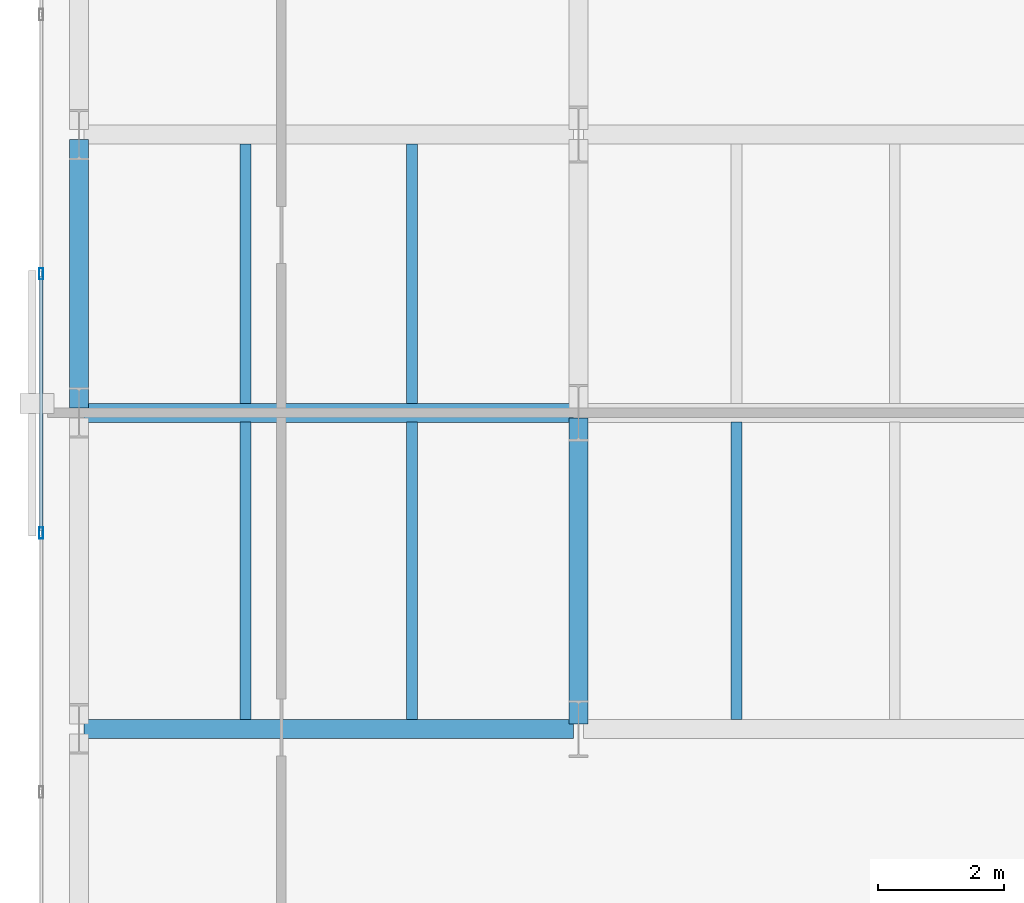
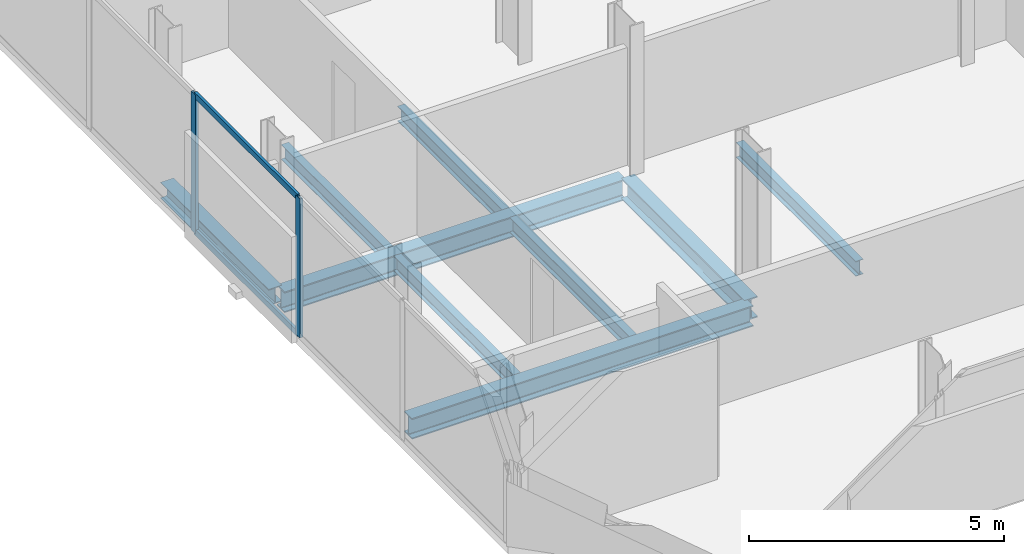
# One storey, part 5 of 33: 9 beams, 4 members, 1 element without a shape of its own.
"""IFC4 building model written with IfcOpenShell, lengths in metres."""

import ifcopenshell
import ifcopenshell.guid

model = None  # the IFC model being written
_history = None  # IfcOwnerHistory: only IFC2X3 demands one
_inside = {}  # id of a spatial element -> (the spatial element, [elements in it])
_under = {}  # id of a project, library or spatial element -> (it, [spatial elements below it])
_declared = {}  # id of a project -> (the project, [libraries it declares])
_typed = {}  # id of a type object -> (the type object, [elements of that type])
_made_of = {}  # id of a material, layer set ... -> (it, [elements and type objects made of it])


def new_model(schema):
    """Start an empty IFC model of exactly this schema.

    Asked for "IFC4X3", IfcOpenShell would pick the latest addendum, in which some entities
    have other attributes; the version numbers below select the first issue.
    IFC2X3 requires an IfcOwnerHistory on every rooted entity: one is made here for all.
    """
    global model, _history
    if schema == "IFC4X3":
        model = ifcopenshell.file(schema_version=(4, 3, 0, 0))
    else:
        model = ifcopenshell.file(schema=schema)
    _inside.clear()
    _under.clear()
    _declared.clear()
    _typed.clear()
    _made_of.clear()
    _history = None
    if model.schema == "IFC2X3":
        org = make("IfcOrganization", Name="unknown")
        user = make(
            "IfcPersonAndOrganization",
            ThePerson=make("IfcPerson", FamilyName="unknown"),
            TheOrganization=org,
        )
        app = make(
            "IfcApplication",
            ApplicationDeveloper=org,
            Version="unknown",
            ApplicationFullName="unknown",
            ApplicationIdentifier="unknown",
        )
        _history = make(
            "IfcOwnerHistory",
            OwningUser=user,
            OwningApplication=app,
            ChangeAction="ADDED",
            CreationDate=0,
        )
    return model


def make(cls, **values):
    """One entity of the class cls with the attributes given. An attribute that is None is left unset."""
    return model.create_entity(
        cls, **{name: value for name, value in values.items() if value is not None}
    )


def rooted(cls, **values):
    """An entity with a GlobalId (a new one), such as an element, a storey or a relation."""
    return make(cls, GlobalId=ifcopenshell.guid.new(), OwnerHistory=_history, **values)


def si_unit(unit_type, name, prefix=None):
    """IfcSIUnit, for example si_unit("LENGTHUNIT", "METRE", prefix="MILLI")."""
    return make("IfcSIUnit", UnitType=unit_type, Prefix=prefix, Name=name)


def assignment(units):
    """IfcUnitAssignment: the units of a project."""
    return None if units is None else make("IfcUnitAssignment", Units=units)


def point(xyz):
    """IfcCartesianPoint."""
    return None if xyz is None else make("IfcCartesianPoint", Coordinates=xyz)


def direction(xyz):
    """IfcDirection."""
    return None if xyz is None else make("IfcDirection", DirectionRatios=xyz)


def frame(location, z_axis=None, x_axis=None):
    """IfcAxis2Placement3D, a coordinate frame: its origin and axes. An axis left out is left unset."""
    return make(
        "IfcAxis2Placement3D",
        Location=point(location),
        Axis=direction(z_axis),
        RefDirection=direction(x_axis),
    )


def frame_2d(location, x_axis=None):
    """IfcAxis2Placement2D, a coordinate frame in the plane: its origin and x axis."""
    return make(
        "IfcAxis2Placement2D", Location=point(location), RefDirection=direction(x_axis)
    )


def origin():
    """The frame at (0, 0, 0) with its axes left unset."""
    return frame((0.0, 0.0, 0.0))


def origin_2d():
    """The frame at (0, 0) in the plane with its x axis left unset."""
    return frame_2d((0.0, 0.0))


def place(relative_to, where):
    """IfcLocalPlacement: puts the frame where relative to a parent placement (None: the world)."""
    return make(
        "IfcLocalPlacement", PlacementRelTo=relative_to, RelativePlacement=where
    )


def context(
    kind, dimensions, precision=None, world=None, true_north=None, identifier=None
):
    """IfcGeometricRepresentationContext, for example the 3D "Model" context."""
    return make(
        "IfcGeometricRepresentationContext",
        ContextIdentifier=identifier,
        ContextType=kind,
        CoordinateSpaceDimension=dimensions,
        Precision=precision,
        WorldCoordinateSystem=world,
        TrueNorth=true_north,
    )


def subcontext(parent, identifier, kind, view, scale=None):
    """IfcGeometricRepresentationSubContext, for example "Body" below "Model"."""
    return make(
        "IfcGeometricRepresentationSubContext",
        ContextIdentifier=identifier,
        ContextType=kind,
        ParentContext=parent,
        TargetScale=scale,
        TargetView=view,
    )


def project(units=None, contexts=None):
    """IfcProject with its units and contexts."""
    return rooted(
        "IfcProject",
        Name="project",
        RepresentationContexts=contexts,
        UnitsInContext=assignment(units),
    )


def spatial(cls, under=None, at=None, **own):
    """A site, building, storey or space (cls), placed at a placement, below another one or the project."""
    s = rooted(cls, ObjectPlacement=at, **own)
    if under is not None:
        _under.setdefault(under.id(), (under, []))[1].append(s)
    return s


def profile(cls, at=None, kind="AREA", **sizes):
    """A parametric profile (cls). Its sizes go by their IFC names, for example OverallWidth=200.0."""
    return make(cls, ProfileType=kind, Position=at, **sizes)


def hollow_rectangle(**sizes):
    """IfcRectangleHollowProfileDef."""
    return profile("IfcRectangleHollowProfileDef", **sizes)


def i_section(**sizes):
    """IfcIShapeProfileDef."""
    return profile("IfcIShapeProfileDef", **sizes)


def extrude(swept, where, along, depth):
    """IfcExtrudedAreaSolid: the profile swept, set in the frame where, extruded along a direction by depth."""
    return make(
        "IfcExtrudedAreaSolid",
        SweptArea=swept,
        Position=where,
        ExtrudedDirection=direction(along),
        Depth=depth,
    )


def shape(context_of_items, identifier, shape_type, items):
    """IfcShapeRepresentation: the items that make up one representation, for example the "Body"."""
    return make(
        "IfcShapeRepresentation",
        ContextOfItems=context_of_items,
        RepresentationIdentifier=identifier,
        RepresentationType=shape_type,
        Items=items,
    )


def material(Name=None, Category=None):
    """IfcMaterial."""
    return make("IfcMaterial", Name=Name, Category=Category)


def layer(
    of_material, thickness, ventilated=None, Name=None, Category=None, Priority=None
):
    """IfcMaterialLayer: one layer of a wall or slab, of a material (None: an air gap)."""
    return make(
        "IfcMaterialLayer",
        Material=of_material,
        LayerThickness=thickness,
        IsVentilated=ventilated,
        Name=Name,
        Category=Category,
        Priority=Priority,
    )


def layer_set(layers, Name=None):
    """IfcMaterialLayerSet."""
    return make("IfcMaterialLayerSet", MaterialLayers=layers, LayerSetName=Name)


def material_profile(
    of_material, cross_section, Name=None, Category=None, Priority=None
):
    """IfcMaterialProfile: a cross section and its material."""
    return make(
        "IfcMaterialProfile",
        Name=Name,
        Material=of_material,
        Profile=cross_section,
        Priority=Priority,
        Category=Category,
    )


def profile_set(profiles, Name=None, composite=None):
    """IfcMaterialProfileSet."""
    return make(
        "IfcMaterialProfileSet",
        Name=Name,
        MaterialProfiles=profiles,
        CompositeProfile=composite,
    )


def made_of(thing, what):
    """Note that an element or type object is made of a material, layer set ...; save() writes the relation."""
    if what is not None:
        _made_of.setdefault(what.id(), (what, []))[1].append(thing)
    return thing


def type_object(cls, material=None, **own):
    """A type object (cls), such as IfcWallType, which elements share."""
    return made_of(rooted(cls, **own), material)


def element(
    cls,
    number,
    at=None,
    inside=None,
    cuts=None,
    type_object=None,
    material=None,
    context=None,
    identifier="Body",
    shape_type=None,
    held_by="IfcProductDefinitionShape",
    body=None,
    shapes=None,
    **own,
):
    """One element of the class cls, such as IfcWall. Its Tag is "e" and its number.

    at: its placement. inside: the storey or other place that contains it. cuts: it is an
    opening in that element (IfcRelVoidsElement). A single representation is given by context,
    identifier, shape_type and body (its items); several are given by shapes. held_by: the class
    of the entity that holds the representations. save() writes the other relations.
    """
    e = rooted(cls, Tag="e%d" % number, ObjectPlacement=at, **own)
    if body is not None:
        shapes = [shape(context, identifier, shape_type, body)]
    if shapes is not None:
        e.Representation = make(held_by, Representations=shapes)
    if inside is not None:
        _inside.setdefault(inside.id(), (inside, []))[1].append(e)
    if cuts is not None:
        rooted(
            "IfcRelVoidsElement", RelatingBuildingElement=cuts, RelatedOpeningElement=e
        )
    if type_object is not None:
        _typed.setdefault(type_object.id(), (type_object, []))[1].append(e)
    return made_of(e, material)


def aggregate(whole, parts):
    """IfcRelAggregates: a whole, such as a stair, and the parts it consists of."""
    return rooted("IfcRelAggregates", RelatingObject=whole, RelatedObjects=parts)


def save(model, path):
    """Write the relations noted so far, then the file.

    IfcRelAggregates (storeys below a building ...), IfcRelContainedInSpatialStructure (elements
    in a storey), IfcRelDefinesByType, IfcRelAssociatesMaterial and IfcRelDeclares: one each for
    every whole, place, type object, material and project.
    """
    for whole, parts in _under.values():
        aggregate(whole, parts)
    for where, things in _inside.values():
        rooted(
            "IfcRelContainedInSpatialStructure",
            RelatedElements=things,
            RelatingStructure=where,
        )
    for kind, things in _typed.values():
        rooted("IfcRelDefinesByType", RelatedObjects=things, RelatingType=kind)
    for what, things in _made_of.values():
        rooted("IfcRelAssociatesMaterial", RelatedObjects=things, RelatingMaterial=what)
    for by, libraries in _declared.values():
        rooted("IfcRelDeclares", RelatingContext=by, RelatedDefinitions=libraries)
    model.write(path)


model = new_model("IFC4")

# Units and contexts
model_context = context("Model", 3, precision=1e-05, world=origin(), true_north=direction((0.0, 1.0)))
body_context = subcontext(model_context, "Body", "Model", "MODEL_VIEW")
ifc_project = project(units=[si_unit("LENGTHUNIT", "METRE"), si_unit("AREAUNIT", "SQUARE_METRE"), si_unit("VOLUMEUNIT", "CUBIC_METRE"), si_unit("PLANEANGLEUNIT", "RADIAN"), si_unit("MASSUNIT", "GRAM", prefix="KILO")], contexts=[model_context])

# Site, building, storey
site_placement = place(None, origin())
site = spatial("IfcSite", under=ifc_project, at=site_placement, CompositionType="ELEMENT")
building_placement = place(site_placement, origin())
building = spatial("IfcBuilding", under=site, at=building_placement, Name="Catumbela Crestline Tower", CompositionType="ELEMENT")
storey_placement = place(building_placement, frame((0.0, 0.0, 54.6)))
storey = spatial("IfcBuildingStorey", under=building, at=storey_placement, Name="L13", CompositionType="ELEMENT", Elevation=54.6)

# Beams
ifc_material_1 = material(Name="Structural steel S355J2", Category="steel")
ifc_material_profile_1 = material_profile(ifc_material_1, i_section(OverallWidth=0.3, OverallDepth=0.5, WebThickness=0.0145, FlangeThickness=0.028, FilletRadius=0.027, at=origin_2d()), Name="HEB 500")
ifc_profile_set_1 = profile_set([ifc_material_profile_1], Name="Structural steel S355J2")
beam_type_1 = type_object("IfcBeamType", Name="BG-HEB500", PredefinedType="BEAM", material=ifc_profile_set_1)
for number, where, z_axis, x_axis, name in (
    (1, (0.68, 8.6, -0.51), (1.0, 0.0, 0.0), (0.0, 1.0, 0.0), "L13 Beam BM-L13-WEW48"),
    (2, (0.68, 13.6, -0.51), (1.0, 0.0, 0.0), (0.0, 1.0, 0.0), "L13 Beam BM-L13-WEW51"),
):
    element("IfcBeam", number, at=place(storey_placement, frame(where, z_axis=z_axis, x_axis=x_axis)), inside=storey, type_object=beam_type_1, Name=name, PredefinedType="BEAM", context=body_context, shape_type="SweptSolid", body=[
        extrude(i_section(OverallWidth=0.3, OverallDepth=0.5, WebThickness=0.0145, FlangeThickness=0.028, FilletRadius=0.027, at=origin_2d()), origin(), (0.0, 0.0, 1.0), 7.74),
    ])
beam_1_placement = place(storey_placement, frame((8.5, 8.68, -0.51), z_axis=(0.0, 1.0, 0.0), x_axis=(-1.0, 0.0, 0.0)))
element("IfcBeam", 3, at=beam_1_placement, inside=storey, type_object=beam_type_1, Name="L13 Beam BM-L13-WNS61", PredefinedType="BEAM", context=body_context, shape_type="SweptSolid", body=[
    extrude(i_section(OverallWidth=0.3, OverallDepth=0.5, WebThickness=0.0145, FlangeThickness=0.028, FilletRadius=0.027, at=origin_2d()), origin(), (0.0, 0.0, 1.0), 4.84),
])
ifc_material_profile_2 = material_profile(ifc_material_1, i_section(OverallWidth=0.17, OverallDepth=0.36, WebThickness=0.008, FlangeThickness=0.0127, FilletRadius=0.018, at=origin_2d()), Name="IPE 360")
ifc_profile_set_2 = profile_set([ifc_material_profile_2], Name="Structural steel S355J2")
beam_type_2 = type_object("IfcBeamType", Name="BJ-IPE360", PredefinedType="JOIST", material=ifc_profile_set_2)
for number, where, z_axis, x_axis, name in (
    (4, (3.233, 8.747, -0.44), (0.0, 1.0, 0.0), (-1.0, 0.0, 0.0), "L13 Joist JS-L13-WG70"),
    (5, (5.867, 8.747, -0.44), (0.0, 1.0, 0.0), (-1.0, 0.0, 0.0), "L13 Joist JS-L13-WG71"),
    (6, (11.0, 8.747, -0.44), (0.0, 1.0, 0.0), (-1.0, 0.0, 0.0), "L13 Joist JS-L13-WG72"),
):
    element("IfcBeam", number, at=place(storey_placement, frame(where, z_axis=z_axis, x_axis=x_axis)), inside=storey, type_object=beam_type_2, Name=name, PredefinedType="JOIST", context=body_context, shape_type="SweptSolid", body=[
        extrude(i_section(OverallWidth=0.17, OverallDepth=0.36, WebThickness=0.008, FlangeThickness=0.0127, FilletRadius=0.018, at=origin_2d()), origin(), (0.0, 0.0, 1.0), 4.706),
    ])
for number, where, z_axis, x_axis, name in (
    (7, (3.233, 13.747, -0.44), (0.0, 1.0, 0.0), (-1.0, 0.0, 0.0), "L13 Joist JS-L13-WG76"),
    (8, (5.867, 13.747, -0.44), (0.0, 1.0, 0.0), (-1.0, 0.0, 0.0), "L13 Joist JS-L13-WG77"),
):
    element("IfcBeam", number, at=place(storey_placement, frame(where, z_axis=z_axis, x_axis=x_axis)), inside=storey, type_object=beam_type_2, Name=name, PredefinedType="JOIST", context=body_context, shape_type="SweptSolid", body=[
        extrude(i_section(OverallWidth=0.17, OverallDepth=0.36, WebThickness=0.008, FlangeThickness=0.0127, FilletRadius=0.018, at=origin_2d()), origin(), (0.0, 0.0, 1.0), 4.106),
    ])

# Curtain wall, members
ifc_material_2 = material(Name="Aluminium alloy AW-6060-T66", Category="aluminium")
ifc_layer = layer(ifc_material_2, 0.18, Name="Aluminium alloy AW-6060-T66")
ifc_layer_set = layer_set([ifc_layer], Name="Aluminium alloy AW-6060-T66")
curtain_wall_type = type_object("IfcCurtainWallType", Name="CWU-Z1", PredefinedType="USERDEFINED", material=ifc_layer_set)
curtain_wall_placement = place(storey_placement, origin())
curtain_wall = element("IfcCurtainWall", 9, at=curtain_wall_placement, inside=storey, type_object=curtain_wall_type, Name="L13 Unitised Curtain Wall CW-L13-E9S1", ObjectType="UNITISED", PredefinedType="USERDEFINED")
ifc_material_profile_3 = material_profile(ifc_material_2, hollow_rectangle(XDim=0.065, YDim=0.18, WallThickness=0.004, at=origin_2d()), Name="ALU 180x65x4")
ifc_profile_set_3 = profile_set([ifc_material_profile_3], Name="Aluminium alloy AW-6060-T66")
member_type_1 = type_object("IfcMemberType", Name="MUL-180X65", PredefinedType="MULLION", material=ifc_profile_set_3)
member_1_placement = place(storey_placement, frame((0.0, 15.8, 0.0), z_axis=(0.0, 0.0, 1.0), x_axis=(1.0, 0.0, 0.0)))
member_1 = element("IfcMember", 10, at=member_1_placement, type_object=member_type_1, Name="CWU-Z1 mullion 8", PredefinedType="MULLION", context=body_context, shape_type="SweptSolid", body=[
    extrude(hollow_rectangle(XDim=0.065, YDim=0.18, WallThickness=0.004, at=origin_2d()), origin(), (0.0, 0.0, 1.0), 3.33),
])
member_2_placement = place(storey_placement, frame((0.0, 11.7, 0.0), z_axis=(0.0, 0.0, 1.0), x_axis=(1.0, 0.0, 0.0)))
member_2 = element("IfcMember", 11, at=member_2_placement, type_object=member_type_1, Name="CWU-Z1 mullion 9", PredefinedType="MULLION", context=body_context, shape_type="SweptSolid", body=[
    extrude(hollow_rectangle(XDim=0.065, YDim=0.18, WallThickness=0.004, at=origin_2d()), origin(), (0.0, 0.0, 1.0), 3.33),
])

# Beam
ifc_material_profile_4 = material_profile(ifc_material_1, i_section(OverallWidth=0.3, OverallDepth=0.39, WebThickness=0.011, FlangeThickness=0.019, FilletRadius=0.027, at=origin_2d()), Name="HEA 400")
ifc_profile_set_4 = profile_set([ifc_material_profile_4], Name="Structural steel S355J2")
beam_type_3 = type_object("IfcBeamType", Name="BS-HEA400", PredefinedType="SPANDREL", material=ifc_profile_set_4)
beam_2_placement = place(storey_placement, frame((0.6, 13.68, -0.455), z_axis=(0.0, 1.0, 0.0), x_axis=(-1.0, 0.0, 0.0)))
element("IfcBeam", 12, at=beam_2_placement, inside=storey, type_object=beam_type_3, Name="L13 Spandrel SP-L13-WNS59", PredefinedType="SPANDREL", context=body_context, shape_type="SweptSolid", body=[
    extrude(i_section(OverallWidth=0.3, OverallDepth=0.39, WebThickness=0.011, FlangeThickness=0.019, FilletRadius=0.027, at=origin_2d()), origin(), (0.0, 0.0, 1.0), 4.24),
])

# Member
ifc_material_profile_5 = material_profile(ifc_material_2, hollow_rectangle(XDim=0.06, YDim=0.14, WallThickness=0.004, at=origin_2d()), Name="ALU 140x60x4")
ifc_profile_set_5 = profile_set([ifc_material_profile_5], Name="Aluminium alloy AW-6060-T66")
member_type_2 = type_object("IfcMemberType", Name="TRN-140X60", PredefinedType="USERDEFINED", material=ifc_profile_set_5)
member_3_placement = place(storey_placement, frame((0.0, 15.7675, 0.03), z_axis=(0.0, -1.0, 0.0), x_axis=(1.0, 0.0, 0.0)))
member_3 = element("IfcMember", 13, at=member_3_placement, type_object=member_type_2, Name="CWU-Z1 transom 8.1", ObjectType="TRANSOM", PredefinedType="USERDEFINED", context=body_context, shape_type="SweptSolid", body=[
    extrude(hollow_rectangle(XDim=0.06, YDim=0.14, WallThickness=0.004, at=origin_2d()), origin(), (0.0, 0.0, 1.0), 4.035),
])

member_4_placement = place(storey_placement, frame((0.0, 15.7675, 3.3), z_axis=(0.0, -1.0, 0.0), x_axis=(1.0, 0.0, 0.0)))
member_4 = element("IfcMember", 14, at=member_4_placement, type_object=member_type_2, Name="CWU-Z1 transom 8.2", ObjectType="TRANSOM", PredefinedType="USERDEFINED", context=body_context, shape_type="SweptSolid", body=[
    extrude(hollow_rectangle(XDim=0.06, YDim=0.14, WallThickness=0.004, at=origin_2d()), origin(), (0.0, 0.0, 1.0), 4.035),
])

aggregate(curtain_wall, [member_1, member_2, member_3, member_4])

save(model, "model.ifc")
